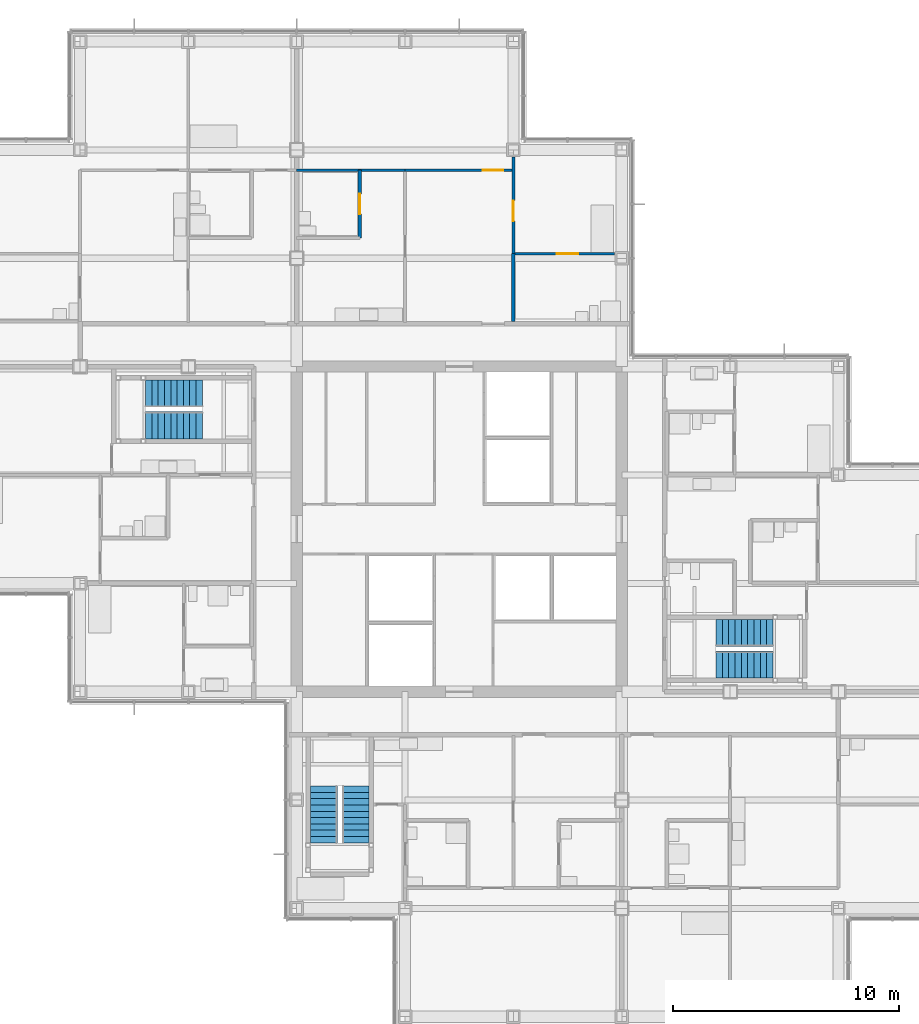
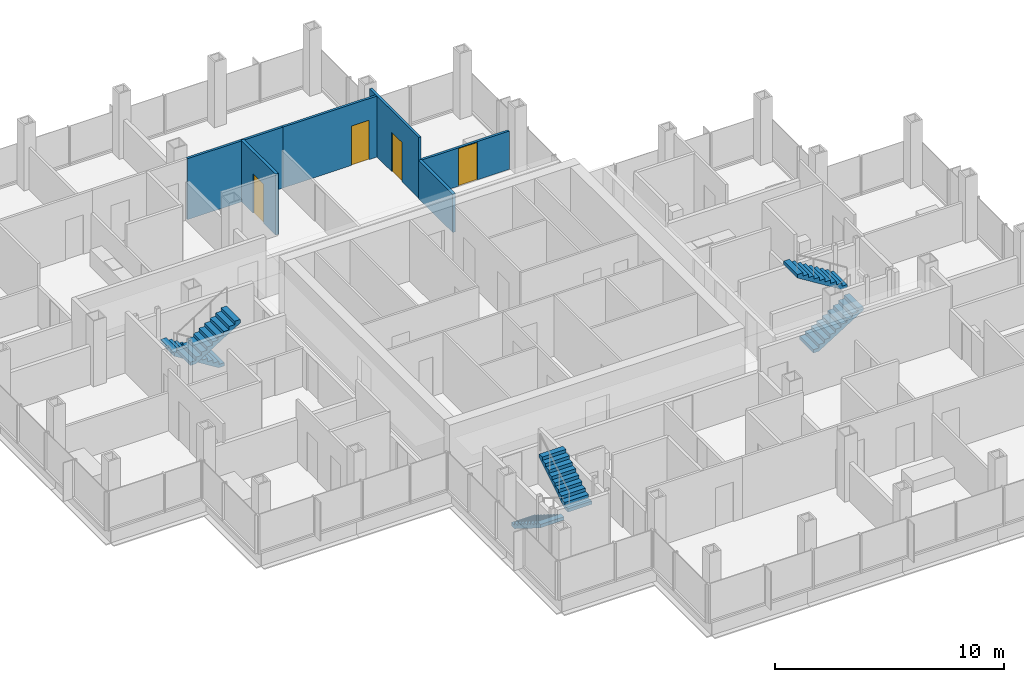
# One storey, part 17 of 20: 6 stair flights, 6 walls, 4 doors, 4 openings, 3 elements without a shape of their own.
"""IFC4 building model written with IfcOpenShell, lengths in metres."""

from ifc_helpers import new_model, si_unit, direction, frame, frame_2d, origin, place, context, subcontext, project, spatial, polyline, rectangle, outline, extrude, material, layer, layer_set, type_object, element, fill, aggregate, save


model = new_model("IFC4")

# Units and contexts
model_context = context("Model", 3, precision=1e-05, world=origin(), true_north=direction((0.0, 1.0)))
body_context = subcontext(model_context, "Body", "Model", "MODEL_VIEW")
ifc_project = project(units=[si_unit("LENGTHUNIT", "METRE"), si_unit("AREAUNIT", "SQUARE_METRE"), si_unit("VOLUMEUNIT", "CUBIC_METRE"), si_unit("PLANEANGLEUNIT", "RADIAN"), si_unit("MASSUNIT", "GRAM", prefix="KILO")], contexts=[model_context])

# Site, building, storey
site_placement = place(None, origin())
site = spatial("IfcSite", under=ifc_project, at=site_placement, CompositionType="ELEMENT")
building_placement = place(site_placement, origin())
building = spatial("IfcBuilding", under=site, at=building_placement, Name="Kvirike Care Tower", CompositionType="ELEMENT")
storey_placement = place(building_placement, frame((0.0, 0.0, 133.0)))
storey = spatial("IfcBuildingStorey", under=building, at=storey_placement, Name="L36", CompositionType="ELEMENT", Elevation=133.0)

# Wall
ifc_material_1 = material(Name="Moisture-resistant board partition", Category="gypsum")
ifc_layer_1 = layer(ifc_material_1, 0.14990234375)
ifc_layer_set_1 = layer_set([ifc_layer_1], Name="BATHROOM WALL 150")
wall_type_1 = type_object("IfcWallType", Name="BATHROOM WALL 150", PredefinedType="PARTITIONING", material=ifc_layer_set_1)
wall_1_placement = place(storey_placement, frame((24.0, 48.199951171875, 0.0), z_axis=(0.0, 0.0, 1.0), x_axis=(0.0, -1.0, 0.0)))
element("IfcWall", 1, at=wall_1_placement, inside=storey, type_object=wall_type_1, Name="Bathroom Wall 150 L36", PredefinedType="PARTITIONING", context=body_context, shape_type="SweptSolid", body=[
    extrude(rectangle(XDim=3.0, YDim=0.14990234375, at=frame_2d((1.5, 0.0))), origin(), (0.0, 0.0, 1.0), 2.0400390625),
])

# Wall, opening, door
wall_2_placement = place(storey_placement, frame((17.199951171875, 51.89990234375, 0.0), z_axis=(0.0, 0.0, 1.0), x_axis=(0.0, -1.0, 0.0)))
wall_2 = element("IfcWall", 2, at=wall_2_placement, inside=storey, type_object=wall_type_1, Name="Bathroom Wall 150 L36", PredefinedType="PARTITIONING", context=body_context, shape_type="SweptSolid", body=[
    extrude(rectangle(XDim=3.0, YDim=0.14990234375, at=frame_2d((1.5, 0.0))), origin(), (0.0, 0.0, 1.0), 3.25),
])
opening_1_placement = place(wall_2_placement, frame((1.050048828125, 0.0, 0.0)))
opening_1 = element("IfcOpeningElement", 3, at=opening_1_placement, cuts=wall_2, Name="Opening 36-023", PredefinedType="OPENING", context=body_context, shape_type="SweptSolid", body=[
    extrude(rectangle(XDim=0.89990234375, YDim=2.10009765625, at=frame_2d((0.449951171875, 1.050048828125))), frame((0.0, 0.08544921875, 0.0), z_axis=(0.0, -1.0, 0.0), x_axis=(1.0, 0.0, 0.0)), (0.0, 0.0, 1.0), 0.1708984375),
])
ifc_material_2 = material(Name="Timber door set", Category="wood")
door_type_1 = type_object("IfcDoorType", Name="BATHROOM DOOR 900", OperationType="SINGLE_SWING_RIGHT", PredefinedType="DOOR", material=ifc_material_2)
door_1_placement = place(opening_1_placement, frame((0.89990234375, 0.0, 0.0), z_axis=(0.0, 0.0, 1.0), x_axis=(-1.0, 0.0, 0.0)))
door_1 = element("IfcDoor", 4, at=door_1_placement, inside=storey, type_object=door_type_1, Name="Accessible WC door", OperationType="SINGLE_SWING_RIGHT", OverallHeight=2.10009765625, OverallWidth=0.89990234375, PredefinedType="DOOR", context=body_context, shape_type="SweptSolid", body=[
    extrude(rectangle(XDim=0.89990234375, YDim=2.10009765625, at=frame_2d((0.449951171875, 1.050048828125))), frame((0.0, 0.02197265625, 0.0), z_axis=(0.0, -1.0, 0.0), x_axis=(1.0, 0.0, 0.0)), (0.0, 0.0, 1.0), 0.0439453125),
])
fill(opening_1, door_1)

ifc_material_3 = material(Name="Plasterboard partition", Category="gypsum")
ifc_layer_2 = layer(ifc_material_3, 0.1201171875)
ifc_layer_set_2 = layer_set([ifc_layer_2], Name="PARTITION 120")
wall_type_2 = type_object("IfcWallType", Name="PARTITION 120", PredefinedType="PARTITIONING", material=ifc_layer_set_2)
wall_3_placement = place(storey_placement, frame((28.47998046875, 48.199951171875, 0.0), z_axis=(0.0, 0.0, 1.0), x_axis=(-1.0, 0.0, 0.0)))
wall_3 = element("IfcWall", 5, at=wall_3_placement, inside=storey, type_object=wall_type_2, Name="Partition 120 L36", PredefinedType="PARTITIONING", context=body_context, shape_type="SweptSolid", body=[
    extrude(rectangle(XDim=4.47998046875, YDim=0.1201171875, at=frame_2d((2.239990234375, 0.0))), origin(), (0.0, 0.0, 1.0), 2.0400390625),
])
opening_2_placement = place(wall_3_placement, frame((1.60498046875, 0.0, 0.0)))
opening_2 = element("IfcOpeningElement", 6, at=opening_2_placement, cuts=wall_3, Name="Opening 36-025", PredefinedType="OPENING", context=body_context, shape_type="SweptSolid", body=[
    extrude(rectangle(XDim=0.949951171875, YDim=2.0, at=frame_2d((0.47509765625, 1.0))), frame((0.0, 0.070556640625, 0.0), z_axis=(0.0, -1.0, 0.0), x_axis=(1.0, 0.0, 0.0)), (0.0, 0.0, 1.0), 0.14111328125),
])
ifc_material_4 = material(Name="Timber door set", Category="wood")
door_type_2 = type_object("IfcDoorType", Name="EN-SUITE SLIDING DOOR 950 x 2000", OperationType="SLIDING_TO_LEFT", PredefinedType="DOOR", material=ifc_material_4)
door_2_placement = place(opening_2_placement, origin())
door_2 = element("IfcDoor", 7, at=door_2_placement, inside=storey, type_object=door_type_2, Name="En-suite door", OperationType="SLIDING_TO_RIGHT", OverallHeight=2.0, OverallWidth=0.949951171875, PredefinedType="DOOR", context=body_context, shape_type="SweptSolid", body=[
    extrude(rectangle(XDim=0.949951171875, YDim=2.0, at=frame_2d((0.47509765625, 1.0))), frame((0.0, 0.02197265625, 0.0), z_axis=(0.0, -1.0, 0.0), x_axis=(1.0, 0.0, 0.0)), (0.0, 0.0, 1.0), 0.0439453125),
])
fill(opening_2, door_2)

wall_4_placement = place(storey_placement, frame((24.0, 51.89990234375, 0.0), z_axis=(0.0, 0.0, 1.0), x_axis=(-1.0, 0.0, 0.0)))
wall_4 = element("IfcWall", 8, at=wall_4_placement, inside=storey, type_object=wall_type_2, Name="Partition 120 L36", PredefinedType="PARTITIONING", context=body_context, shape_type="SweptSolid", body=[
    extrude(rectangle(XDim=4.800048828125, YDim=0.1201171875, at=frame_2d((2.39990234375, 0.0))), origin(), (0.0, 0.0, 1.0), 3.25),
])
opening_3_placement = place(wall_4_placement, frame((0.449951171875, 0.0, 0.0)))
opening_3 = element("IfcOpeningElement", 9, at=opening_3_placement, cuts=wall_4, Name="Opening 36-026", PredefinedType="OPENING", context=body_context, shape_type="SweptSolid", body=[
    extrude(rectangle(XDim=0.89990234375, YDim=2.10009765625, at=frame_2d((0.449951171875, 1.050048828125))), frame((0.0, 0.070556640625, 0.0), z_axis=(0.0, -1.0, 0.0), x_axis=(1.0, 0.0, 0.0)), (0.0, 0.0, 1.0), 0.14111328125),
])
ifc_material_5 = material(Name="Timber door set", Category="wood")
door_type_3 = type_object("IfcDoorType", Name="INTERNAL DOOR 900", OperationType="SINGLE_SWING_LEFT", PredefinedType="DOOR", material=ifc_material_5)
door_3_placement = place(opening_3_placement, origin())
door_3 = element("IfcDoor", 10, at=door_3_placement, inside=storey, type_object=door_type_3, Name="Suite sitting room door", OperationType="SINGLE_SWING_RIGHT", OverallHeight=2.10009765625, OverallWidth=0.89990234375, PredefinedType="DOOR", context=body_context, shape_type="SweptSolid", body=[
    extrude(rectangle(XDim=0.89990234375, YDim=2.10009765625, at=frame_2d((0.449951171875, 1.050048828125))), frame((0.0, 0.02197265625, 0.0), z_axis=(0.0, -1.0, 0.0), x_axis=(1.0, 0.0, 0.0)), (0.0, 0.0, 1.0), 0.0439453125),
])
fill(opening_3, door_3)

# Wall
wall_5_placement = place(storey_placement, frame((19.199951171875, 51.89990234375, 0.0), z_axis=(0.0, 0.0, 1.0), x_axis=(-1.0, 0.0, 0.0)))
element("IfcWall", 11, at=wall_5_placement, inside=storey, type_object=wall_type_2, Name="Partition 120 L36", PredefinedType="PARTITIONING", context=body_context, shape_type="SweptSolid", body=[
    extrude(rectangle(XDim=4.800048828125, YDim=0.1201171875, at=frame_2d((2.39990234375, 0.0))), origin(), (0.0, 0.0, 1.0), 3.25),
])

# Wall, opening, door
wall_6_placement = place(storey_placement, frame((24.0, 52.47998046875, 0.0), z_axis=(0.0, 0.0, 1.0), x_axis=(0.0, -1.0, 0.0)))
wall_6 = element("IfcWall", 12, at=wall_6_placement, inside=storey, type_object=wall_type_2, Name="Partition 120 L36", PredefinedType="PARTITIONING", context=body_context, shape_type="SweptSolid", body=[
    extrude(rectangle(XDim=4.280029296875, YDim=0.1201171875, at=frame_2d((2.14013671875, 0.0))), origin(), (0.0, 0.0, 1.0), 3.25),
])
opening_4_placement = place(wall_6_placement, frame((1.929931640625, 0.0, 0.0)))
opening_4 = element("IfcOpeningElement", 13, at=opening_4_placement, cuts=wall_6, Name="Opening 36-027", PredefinedType="OPENING", context=body_context, shape_type="SweptSolid", body=[
    extrude(rectangle(XDim=0.89990234375, YDim=2.10009765625, at=frame_2d((0.449951171875, 1.050048828125))), frame((0.0, 0.070556640625, 0.0), z_axis=(0.0, -1.0, 0.0), x_axis=(1.0, 0.0, 0.0)), (0.0, 0.0, 1.0), 0.14111328125),
])
door_4_placement = place(opening_4_placement, origin())
door_4 = element("IfcDoor", 14, at=door_4_placement, inside=storey, type_object=door_type_3, Name="Connecting door", OperationType="SINGLE_SWING_LEFT", OverallHeight=2.10009765625, OverallWidth=0.89990234375, PredefinedType="DOOR", context=body_context, shape_type="SweptSolid", body=[
    extrude(rectangle(XDim=0.89990234375, YDim=2.10009765625, at=frame_2d((0.449951171875, 1.050048828125))), frame((0.0, 0.02197265625, 0.0), z_axis=(0.0, -1.0, 0.0), x_axis=(1.0, 0.0, 0.0)), (0.0, 0.0, 1.0), 0.0439453125),
])
fill(opening_4, door_4)

# Stair, stair flights
ifc_material_6 = material(Name="Concrete C35/45", Category="concrete")
stair_type = type_object("IfcStairType", Name="STAIR 20 RISERS", PredefinedType="HALF_TURN_STAIR", material=ifc_material_6)
stair_1_placement = place(storey_placement, origin())
stair_1 = element("IfcStair", 15, at=stair_1_placement, inside=storey, type_object=stair_type, Name="Stair 1 L36", PredefinedType="HALF_TURN_STAIR")
ifc_material_7 = material(Name="Concrete C35/45", Category="concrete")
stair_flight_type = type_object("IfcStairFlightType", Name="FLIGHT 10 RISERS", PredefinedType="STRAIGHT", material=ifc_material_7)
stair_flight_1_placement = place(storey_placement, frame((10.219970703125, 42.0, 0.0), z_axis=(0.0, 0.0, 1.0), x_axis=(-1.0, 0.0, 0.0)))
stair_flight_1 = element("IfcStairFlight", 16, at=stair_flight_1_placement, type_object=stair_flight_type, Name="Stair S1 flight 1 L36-L37", NumberOfRisers=10, NumberOfTreads=9, PredefinedType="STRAIGHT", RiserHeight=0.175, TreadLength=0.28, context=body_context, shape_type="SweptSolid", body=[
    extrude(outline(polyline([(0.0, 0.0), (0.0, 0.175048828125), (0.280029296875, 0.175048828125), (0.280029296875, 0.35009765625), (0.56005859375, 0.35009765625), (0.56005859375, 0.52490234375), (0.840087890625, 0.52490234375), (0.840087890625, 0.699951171875), (1.1201171875, 0.699951171875), (1.1201171875, 0.875), (1.39990234375, 0.875), (1.39990234375, 1.050048828125), (1.679931640625, 1.050048828125), (1.679931640625, 1.22509765625), (1.9599609375, 1.22509765625), (1.9599609375, 1.39990234375), (2.239990234375, 1.39990234375), (2.239990234375, 1.574951171875), (2.52001953125, 1.574951171875), (2.52001953125, 1.75), (2.52001953125, 1.398193359375), (0.28271484375, 0.0), (0.0, 0.0)])), frame((0.0, 0.60009765625, 0.0), z_axis=(0.0, -1.0, 0.0), x_axis=(1.0, 0.0, 0.0)), (0.0, 0.0, 1.0), 1.199951171875),
])
stair_flight_2_placement = place(storey_placement, frame((7.699951171875, 40.60009765625, 1.75), z_axis=(0.0, 0.0, 1.0), x_axis=(1.0, 0.0, 0.0)))
stair_flight_2 = element("IfcStairFlight", 17, at=stair_flight_2_placement, type_object=stair_flight_type, Name="Stair S1 flight 2 L36-L37", NumberOfRisers=10, NumberOfTreads=9, PredefinedType="STRAIGHT", RiserHeight=0.175, TreadLength=0.28, context=body_context, shape_type="SweptSolid", body=[
    extrude(outline(polyline([(0.0, 0.0), (0.0, 0.175048828125), (0.280029296875, 0.175048828125), (0.280029296875, 0.35009765625), (0.56005859375, 0.35009765625), (0.56005859375, 0.52490234375), (0.840087890625, 0.52490234375), (0.840087890625, 0.699951171875), (1.1201171875, 0.699951171875), (1.1201171875, 0.875), (1.39990234375, 0.875), (1.39990234375, 1.050048828125), (1.679931640625, 1.050048828125), (1.679931640625, 1.22509765625), (1.9599609375, 1.22509765625), (1.9599609375, 1.39990234375), (2.239990234375, 1.39990234375), (2.239990234375, 1.574951171875), (2.52001953125, 1.574951171875), (2.52001953125, 1.75), (2.52001953125, 1.398193359375), (0.28271484375, 0.0), (0.0, 0.0)])), frame((0.0, 0.60009765625, 0.0), z_axis=(0.0, -1.0, 0.0), x_axis=(1.0, 0.0, 0.0)), (0.0, 0.0, 1.0), 1.199951171875),
])
aggregate(stair_1, [stair_flight_1, stair_flight_2])

stair_2_placement = place(storey_placement, origin())
stair_2 = element("IfcStair", 18, at=stair_2_placement, inside=storey, type_object=stair_type, Name="Stair 2 L36", PredefinedType="HALF_TURN_STAIR")
stair_flight_3_placement = place(storey_placement, frame((32.97998046875, 30.0, 0.0), z_axis=(0.0, 0.0, 1.0), x_axis=(1.0, 0.0, 0.0)))
stair_flight_3 = element("IfcStairFlight", 19, at=stair_flight_3_placement, type_object=stair_flight_type, Name="Stair S2 flight 1 L36-L37", NumberOfRisers=10, NumberOfTreads=9, PredefinedType="STRAIGHT", RiserHeight=0.175, TreadLength=0.28, context=body_context, shape_type="SweptSolid", body=[
    extrude(outline(polyline([(0.0, 0.0), (0.0, 0.175048828125), (0.280029296875, 0.175048828125), (0.280029296875, 0.35009765625), (0.56005859375, 0.35009765625), (0.56005859375, 0.52490234375), (0.840087890625, 0.52490234375), (0.840087890625, 0.699951171875), (1.1201171875, 0.699951171875), (1.1201171875, 0.875), (1.39990234375, 0.875), (1.39990234375, 1.050048828125), (1.679931640625, 1.050048828125), (1.679931640625, 1.22509765625), (1.9599609375, 1.22509765625), (1.9599609375, 1.39990234375), (2.239990234375, 1.39990234375), (2.239990234375, 1.574951171875), (2.52001953125, 1.574951171875), (2.52001953125, 1.75), (2.52001953125, 1.398193359375), (0.28271484375, 0.0), (0.0, 0.0)])), frame((0.0, 0.60009765625, 0.0), z_axis=(0.0, -1.0, 0.0), x_axis=(1.0, 0.0, 0.0)), (0.0, 0.0, 1.0), 1.199951171875),
])
stair_flight_4_placement = place(storey_placement, frame((35.5, 31.39990234375, 1.75), z_axis=(0.0, 0.0, 1.0), x_axis=(-1.0, 0.0, 0.0)))
stair_flight_4 = element("IfcStairFlight", 20, at=stair_flight_4_placement, type_object=stair_flight_type, Name="Stair S2 flight 2 L36-L37", NumberOfRisers=10, NumberOfTreads=9, PredefinedType="STRAIGHT", RiserHeight=0.175, TreadLength=0.28, context=body_context, shape_type="SweptSolid", body=[
    extrude(outline(polyline([(0.0, 0.0), (0.0, 0.175048828125), (0.280029296875, 0.175048828125), (0.280029296875, 0.35009765625), (0.56005859375, 0.35009765625), (0.56005859375, 0.52490234375), (0.840087890625, 0.52490234375), (0.840087890625, 0.699951171875), (1.1201171875, 0.699951171875), (1.1201171875, 0.875), (1.39990234375, 0.875), (1.39990234375, 1.050048828125), (1.679931640625, 1.050048828125), (1.679931640625, 1.22509765625), (1.9599609375, 1.22509765625), (1.9599609375, 1.39990234375), (2.239990234375, 1.39990234375), (2.239990234375, 1.574951171875), (2.52001953125, 1.574951171875), (2.52001953125, 1.75), (2.52001953125, 1.398193359375), (0.28271484375, 0.0), (0.0, 0.0)])), frame((0.0, 0.60009765625, 0.0), z_axis=(0.0, -1.0, 0.0), x_axis=(1.0, 0.0, 0.0)), (0.0, 0.0, 1.0), 1.199951171875),
])
aggregate(stair_2, [stair_flight_3, stair_flight_4])

stair_3_placement = place(storey_placement, origin())
stair_3 = element("IfcStair", 21, at=stair_3_placement, inside=storey, type_object=stair_type, Name="Stair 5 L36", PredefinedType="HALF_TURN_STAIR")
stair_flight_5_placement = place(storey_placement, frame((15.60009765625, 24.6201171875, 0.0), z_axis=(0.0, 0.0, 1.0), x_axis=(0.0, -1.0, 0.0)))
stair_flight_5 = element("IfcStairFlight", 22, at=stair_flight_5_placement, type_object=stair_flight_type, Name="Stair S5 flight 1 L36-L37", NumberOfRisers=10, NumberOfTreads=9, PredefinedType="STRAIGHT", RiserHeight=0.175, TreadLength=0.28, context=body_context, shape_type="SweptSolid", body=[
    extrude(outline(polyline([(0.0, 0.0), (0.0, 0.175048828125), (0.280029296875, 0.175048828125), (0.280029296875, 0.35009765625), (0.56005859375, 0.35009765625), (0.56005859375, 0.52490234375), (0.840087890625, 0.52490234375), (0.840087890625, 0.699951171875), (1.1201171875, 0.699951171875), (1.1201171875, 0.875), (1.39990234375, 0.875), (1.39990234375, 1.050048828125), (1.679931640625, 1.050048828125), (1.679931640625, 1.22509765625), (1.9599609375, 1.22509765625), (1.9599609375, 1.39990234375), (2.239990234375, 1.39990234375), (2.239990234375, 1.574951171875), (2.52001953125, 1.574951171875), (2.52001953125, 1.75), (2.52001953125, 1.398193359375), (0.28271484375, 0.0), (0.0, 0.0)])), frame((0.0, 0.60009765625, 0.0), z_axis=(0.0, -1.0, 0.0), x_axis=(1.0, 0.0, 0.0)), (0.0, 0.0, 1.0), 1.199951171875),
])
stair_flight_6_placement = place(storey_placement, frame((17.0, 22.10009765625, 1.75), z_axis=(0.0, 0.0, 1.0), x_axis=(0.0, 1.0, 0.0)))
stair_flight_6 = element("IfcStairFlight", 23, at=stair_flight_6_placement, type_object=stair_flight_type, Name="Stair S5 flight 2 L36-L37", NumberOfRisers=10, NumberOfTreads=9, PredefinedType="STRAIGHT", RiserHeight=0.175, TreadLength=0.28, context=body_context, shape_type="SweptSolid", body=[
    extrude(outline(polyline([(0.0, 0.0), (0.0, 0.175048828125), (0.280029296875, 0.175048828125), (0.280029296875, 0.35009765625), (0.56005859375, 0.35009765625), (0.56005859375, 0.52490234375), (0.840087890625, 0.52490234375), (0.840087890625, 0.699951171875), (1.1201171875, 0.699951171875), (1.1201171875, 0.875), (1.39990234375, 0.875), (1.39990234375, 1.050048828125), (1.679931640625, 1.050048828125), (1.679931640625, 1.22509765625), (1.9599609375, 1.22509765625), (1.9599609375, 1.39990234375), (2.239990234375, 1.39990234375), (2.239990234375, 1.574951171875), (2.52001953125, 1.574951171875), (2.52001953125, 1.75), (2.52001953125, 1.398193359375), (0.28271484375, 0.0), (0.0, 0.0)])), frame((0.0, 0.60009765625, 0.0), z_axis=(0.0, -1.0, 0.0), x_axis=(1.0, 0.0, 0.0)), (0.0, 0.0, 1.0), 1.199951171875),
])
aggregate(stair_3, [stair_flight_5, stair_flight_6])

save(model, "model.ifc")
